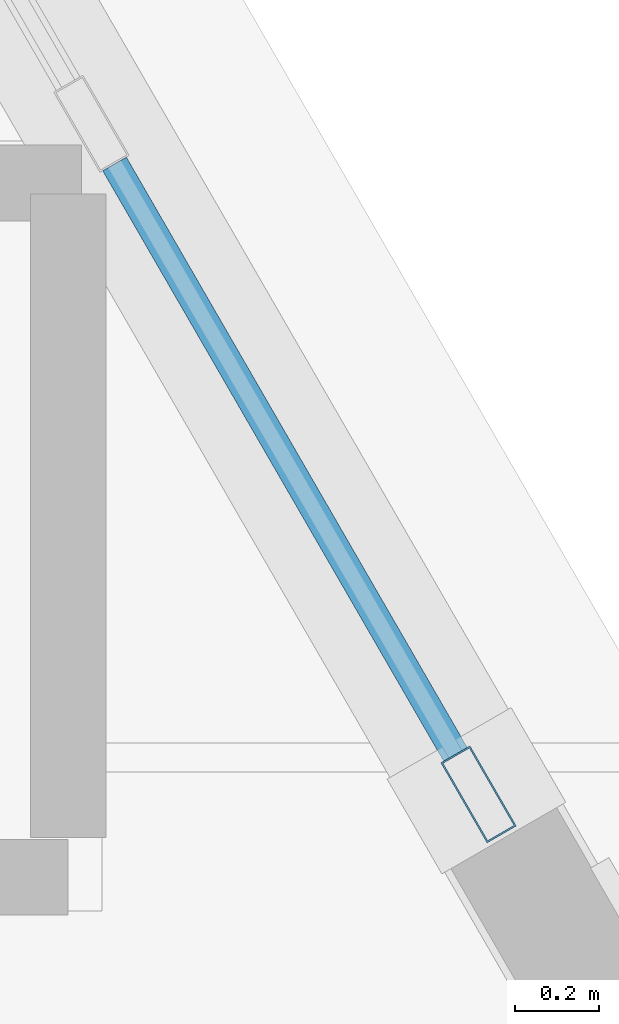
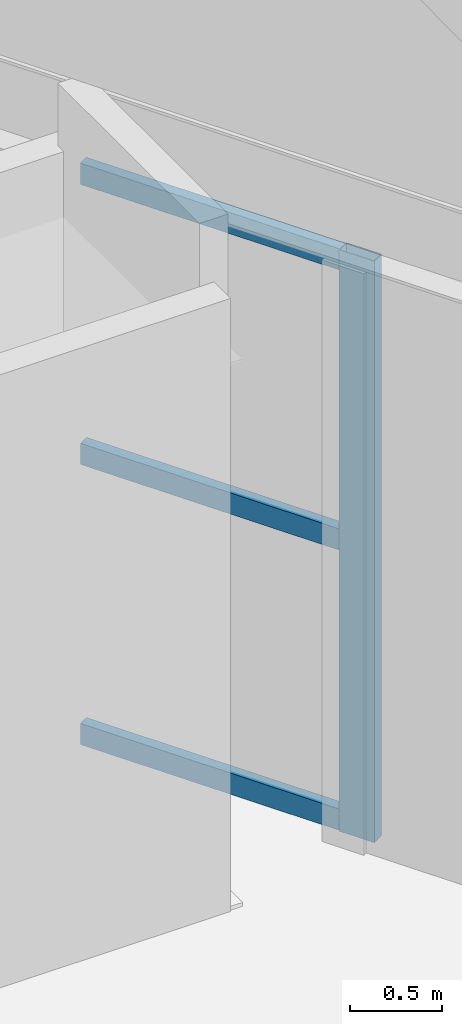
# One storey, part 8 of 11: 4 members, 1 element without a shape of its own.
"""IFC4 building model written with IfcOpenShell, lengths in metres."""

from ifc_helpers import new_model, si_unit, direction, frame, origin, origin_2d, place, context, subcontext, project, spatial, hollow_rectangle, extrude, material, layer, layer_set, material_profile, profile_set, type_object, element, aggregate, save


model = new_model("IFC4")

# Units and contexts
model_context = context("Model", 3, precision=1e-05, world=origin(), true_north=direction((0.0, 1.0)))
body_context = subcontext(model_context, "Body", "Model", "MODEL_VIEW")
ifc_project = project(units=[si_unit("LENGTHUNIT", "METRE"), si_unit("AREAUNIT", "SQUARE_METRE"), si_unit("VOLUMEUNIT", "CUBIC_METRE"), si_unit("PLANEANGLEUNIT", "RADIAN"), si_unit("MASSUNIT", "GRAM", prefix="KILO")], contexts=[model_context])

# Site, building, storey
site_placement = place(None, origin())
site = spatial("IfcSite", under=ifc_project, at=site_placement, CompositionType="ELEMENT")
building_placement = place(site_placement, origin())
building = spatial("IfcBuilding", under=site, at=building_placement, Name="Oramaril Tower", CompositionType="ELEMENT")
storey_placement = place(building_placement, frame((0.0, 0.0, 318.89990234375)))
storey = spatial("IfcBuildingStorey", under=building, at=storey_placement, Name="L83", CompositionType="ELEMENT", Elevation=318.89990234375)

# Curtain wall, members
ifc_material_1 = material(Name="Anodised Aluminium 6063-T6", Category="aluminium")
ifc_layer = layer(ifc_material_1, 0.219970703125)
ifc_layer_set = layer_set([ifc_layer], Name="CWT-SYS6")
curtain_wall_type = type_object("IfcCurtainWallType", Name="CWT-SYS6", PredefinedType="NOTDEFINED", material=ifc_layer_set)
curtain_wall_placement = place(storey_placement, origin())
curtain_wall = element("IfcCurtainWall", 1, at=curtain_wall_placement, inside=storey, type_object=curtain_wall_type, Name="L83 Unitised Curtain Wall CW-6", PredefinedType="NOTDEFINED")
ifc_material_2 = material(Name="Anodised Aluminium 6063-T6", Category="aluminium")
ifc_material_profile_1 = material_profile(ifc_material_2, hollow_rectangle(XDim=0.080078125, YDim=0.219970703125, WallThickness=0.00390625, at=origin_2d()), Name="CWM220X80")
ifc_profile_set_1 = profile_set([ifc_material_profile_1], Name="Anodised Aluminium 6063-T6")
member_type_1 = type_object("IfcMemberType", Name="MT-CWM1", PredefinedType="MULLION", material=ifc_profile_set_1)
member_1_placement = place(storey_placement, frame((49.5751953125, 24.947021484375, 0.0), z_axis=(0.0, 0.0, 1.0), x_axis=(-0.866025463091, -0.499999897278, 0.0)))
member_1 = element("IfcMember", 2, at=member_1_placement, type_object=member_type_1, Name="CW-6 mullion 1", PredefinedType="MULLION", context=body_context, shape_type="SweptSolid", body=[
    extrude(hollow_rectangle(XDim=0.080078125, YDim=0.219970703125, WallThickness=0.00390625, at=origin_2d()), origin(), (0.0, 0.0, 1.0), 3.838134765625),
])
ifc_material_3 = material(Name="Anodised Aluminium 6063-T6", Category="aluminium")
ifc_material_profile_2 = material_profile(ifc_material_3, hollow_rectangle(XDim=0.06494140625, YDim=0.139892578125, WallThickness=0.00390625, at=origin_2d()), Name="CWT140X65")
ifc_profile_set_2 = profile_set([ifc_material_profile_2], Name="Anodised Aluminium 6063-T6")
member_type_2 = type_object("IfcMemberType", Name="MT-CWT2", PredefinedType="USERDEFINED", material=ifc_profile_set_2)
member_2_placement = place(storey_placement, frame((49.520263671875, 25.042236328125, 0.070068359375), z_axis=(-0.500061642096, 0.865989811779, 0.0), x_axis=(-0.865989811779, -0.500061642096, 0.0)))
member_2 = element("IfcMember", 3, at=member_2_placement, type_object=member_type_2, Name="CW-6 transom 1.1", ObjectType="TRANSOM", PredefinedType="USERDEFINED", context=body_context, shape_type="SweptSolid", body=[
    extrude(hollow_rectangle(XDim=0.06494140625, YDim=0.139892578125, WallThickness=0.00390625, at=origin_2d()), origin(), (0.0, 0.0, 1.0), 1.619873046875),
])
member_3_placement = place(storey_placement, frame((49.520263671875, 25.042236328125, 1.919189453125), z_axis=(-0.500061642096, 0.865989811779, 0.0), x_axis=(-0.865989811779, -0.500061642096, 0.0)))
member_3 = element("IfcMember", 4, at=member_3_placement, type_object=member_type_2, Name="CW-6 transom 1.2", ObjectType="TRANSOM", PredefinedType="USERDEFINED", context=body_context, shape_type="SweptSolid", body=[
    extrude(hollow_rectangle(XDim=0.06494140625, YDim=0.139892578125, WallThickness=0.00390625, at=origin_2d()), origin(), (0.0, 0.0, 1.0), 1.619873046875),
])
member_4_placement = place(storey_placement, frame((49.520263671875, 25.042236328125, 3.76806640625), z_axis=(-0.500061642096, 0.865989811779, 0.0), x_axis=(-0.865989811779, -0.500061642096, 0.0)))
member_4 = element("IfcMember", 5, at=member_4_placement, type_object=member_type_2, Name="CW-6 transom 1.3", ObjectType="TRANSOM", PredefinedType="USERDEFINED", context=body_context, shape_type="SweptSolid", body=[
    extrude(hollow_rectangle(XDim=0.06494140625, YDim=0.139892578125, WallThickness=0.00390625, at=origin_2d()), origin(), (0.0, 0.0, 1.0), 1.619873046875),
])
aggregate(curtain_wall, [member_1, member_2, member_3, member_4])

save(model, "model.ifc")
